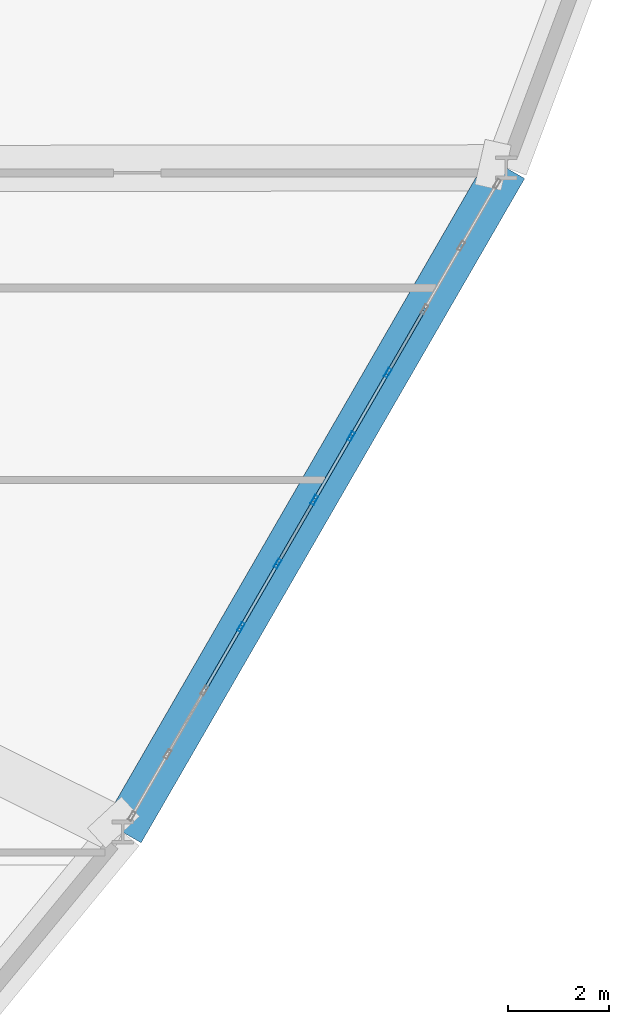
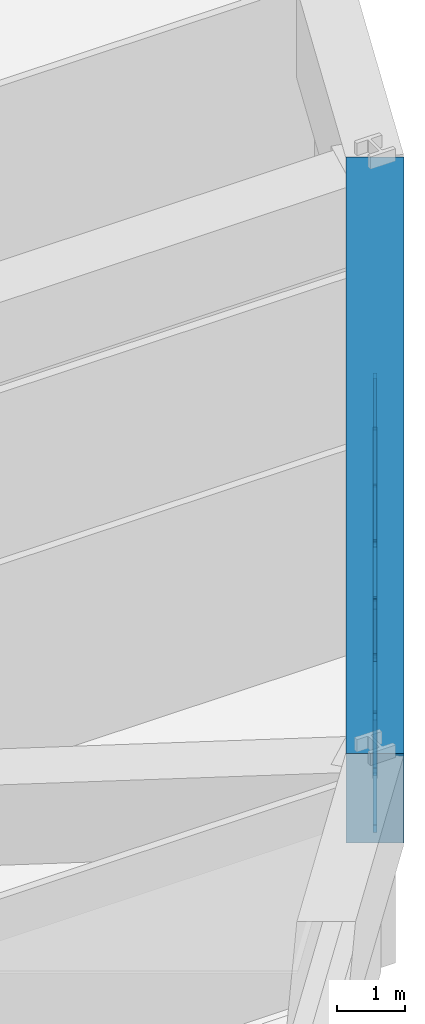
# One storey, part 7 of 18: 19 members, 1 beam, 1 element without a shape of its own.
"""IFC4 building model written with IfcOpenShell, lengths in metres."""

from ifc_helpers import new_model, si_unit, derived_unit, direction, frame, origin, origin_2d, place, context, subcontext, project, spatial, rectangle, hollow_rectangle, extrude, source, transform, mapped, material, layer, layer_set, material_profile, profile_set, type_object, element, aggregate, save


model = new_model("IFC4")

# Units and contexts
model_context = context("Model", 3, precision=1e-05, world=origin(), true_north=direction((0.0, 1.0)))
body_context = subcontext(model_context, "Body", "Model", "MODEL_VIEW")
ifc_project = project(units=[si_unit("LENGTHUNIT", "METRE"), si_unit("AREAUNIT", "SQUARE_METRE"), si_unit("VOLUMEUNIT", "CUBIC_METRE"), si_unit("PLANEANGLEUNIT", "RADIAN"), si_unit("MASSUNIT", "GRAM", prefix="KILO"), derived_unit("THERMALTRANSMITTANCEUNIT", [(si_unit("POWERUNIT", "WATT"), 1), (si_unit("LENGTHUNIT", "METRE"), -2), (si_unit("THERMODYNAMICTEMPERATUREUNIT", "KELVIN"), -1)])], contexts=[model_context])

# Site, building, storey
site_placement = place(None, origin())
site = spatial("IfcSite", under=ifc_project, at=site_placement, CompositionType="ELEMENT")
building_placement = place(site_placement, origin())
building = spatial("IfcBuilding", under=site, at=building_placement, Name="Korsvarv Bourse and Concert Hall", CompositionType="ELEMENT")
storey_placement = place(building_placement, frame((0.0, 0.0, 71.699951171875)))
storey = spatial("IfcBuildingStorey", under=building, at=storey_placement, Name="L17", CompositionType="ELEMENT", Elevation=71.699951171875)

# Beam
ifc_material_1 = material(Name="Concrete C55/67", Category="concrete")
ifc_material_profile_1 = material_profile(ifc_material_1, rectangle(XDim=0.85009765625, YDim=1.60009765625, at=origin_2d()), Name="RC-BM 850x1600")
ifc_profile_set_1 = profile_set([ifc_material_profile_1], Name="Concrete C55/67")
beam_type = type_object("IfcBeamType", Name="BM-TR1B", PredefinedType="BEAM", material=ifc_profile_set_1)
shared_shape_1 = source(origin(), body_context, "Body", "SweptSolid", [
    extrude(rectangle(XDim=0.85009765625, YDim=1.60009765625, at=origin_2d()), origin(), (0.0, 0.0, 1.0), 15.25341796875),
])
beam_placement = place(storey_placement, frame((54.033447265625, 19.206787109375, 2.880126953125), z_axis=(0.500003709148, 0.866023262296, 0.0), x_axis=(-0.866023262296, 0.500003709148, 0.0)))
element("IfcBeam", 1, at=beam_placement, inside=storey, type_object=beam_type, Name="L17 beam B-TR2", PredefinedType="BEAM", context=body_context, shape_type="MappedRepresentation", body=[
    mapped(shared_shape_1, transform((0.0, 0.0, 0.0), scale=1.0)),
])

# Curtain wall, members
ifc_material_2 = material(Name="Anodised aluminium and triple low-E glazing", Category="glass")
ifc_layer = layer(ifc_material_2, 0.219970703125)
ifc_layer_set = layer_set([ifc_layer], Name="Anodised aluminium and triple low-E glazing")
curtain_wall_type = type_object("IfcCurtainWallType", Name="CW-SYS-1", PredefinedType="NOTDEFINED", material=ifc_layer_set)
curtain_wall_placement = place(storey_placement, origin())
curtain_wall = element("IfcCurtainWall", 2, at=curtain_wall_placement, inside=storey, type_object=curtain_wall_type, Name="L17 CW1 curtain wall CW-L17-F11", PredefinedType="NOTDEFINED")
ifc_material_3 = material(Name="Extruded aluminium EN AW-6063 T66", Category="aluminium")
ifc_material_profile_2 = material_profile(ifc_material_3, hollow_rectangle(XDim=0.070068359375, YDim=0.18994140625, WallThickness=0.0048828125, at=origin_2d()), Name="ALU-M 70x190")
ifc_profile_set_2 = profile_set([ifc_material_profile_2], Name="Extruded aluminium EN AW-6063 T66")
member_type_1 = type_object("IfcMemberType", Name="CWM-190", PredefinedType="MULLION", material=ifc_profile_set_2)
shared_shape_2 = source(origin(), body_context, "Body", "SweptSolid", [
    extrude(hollow_rectangle(XDim=0.070068359375, YDim=0.18994140625, WallThickness=0.0048828125, at=origin_2d()), origin(), (0.0, 0.0, 1.0), 2.080078125),
])
member_1_placement = place(storey_placement, frame((56.3876953125, 23.284423828125, 0.0), z_axis=(0.0, 0.0, 1.0), x_axis=(-0.86602191759, 0.500006038217, 0.0)))
member_1 = element("IfcMember", 3, at=member_1_placement, type_object=member_type_1, Name="CW1 mullion 4", PredefinedType="MULLION", context=body_context, shape_type="MappedRepresentation", body=[
    mapped(shared_shape_2, transform((0.0, 0.0, 0.0), scale=1.0)),
])
member_2_placement = place(storey_placement, frame((57.1171875, 24.548095703125, 0.0), z_axis=(0.0, 0.0, 1.0), x_axis=(-0.86602191759, 0.500006038217, 0.0)))
member_2 = element("IfcMember", 4, at=member_2_placement, type_object=member_type_1, Name="CW1 mullion 5", PredefinedType="MULLION", context=body_context, shape_type="MappedRepresentation", body=[
    mapped(shared_shape_2, transform((0.0, 0.0, 0.0), scale=1.0)),
])
member_3_placement = place(storey_placement, frame((57.8466796875, 25.8115234375, 0.0), z_axis=(0.0, 0.0, 1.0), x_axis=(-0.86602191759, 0.500006038217, 0.0)))
member_3 = element("IfcMember", 5, at=member_3_placement, type_object=member_type_1, Name="CW1 mullion 6", PredefinedType="MULLION", context=body_context, shape_type="MappedRepresentation", body=[
    mapped(shared_shape_2, transform((0.0, 0.0, 0.0), scale=1.0)),
])
member_4_placement = place(storey_placement, frame((58.576416015625, 27.0751953125, 0.0), z_axis=(0.0, 0.0, 1.0), x_axis=(-0.86602191759, 0.500006038217, 0.0)))
member_4 = element("IfcMember", 6, at=member_4_placement, type_object=member_type_1, Name="CW1 mullion 7", PredefinedType="MULLION", context=body_context, shape_type="MappedRepresentation", body=[
    mapped(shared_shape_2, transform((0.0, 0.0, 0.0), scale=1.0)),
])
member_5_placement = place(storey_placement, frame((59.305908203125, 28.3388671875, 0.0), z_axis=(0.0, 0.0, 1.0), x_axis=(-0.86602191759, 0.500006038217, 0.0)))
member_5 = element("IfcMember", 7, at=member_5_placement, type_object=member_type_1, Name="CW1 mullion 8", PredefinedType="MULLION", context=body_context, shape_type="MappedRepresentation", body=[
    mapped(shared_shape_2, transform((0.0, 0.0, 0.0), scale=1.0)),
])
ifc_material_profile_3 = material_profile(ifc_material_3, hollow_rectangle(XDim=0.06494140625, YDim=0.139892578125, WallThickness=0.00390625, at=origin_2d()), Name="ALU-T 65x140")
ifc_profile_set_3 = profile_set([ifc_material_profile_3], Name="Extruded aluminium EN AW-6063 T66")
member_type_2 = type_object("IfcMemberType", Name="CWT-140", PredefinedType="USERDEFINED", material=ifc_profile_set_3)
shared_shape_3 = source(origin(), body_context, "Body", "SweptSolid", [
    extrude(hollow_rectangle(XDim=0.06494140625, YDim=0.139892578125, WallThickness=0.00390625, at=origin_2d()), origin(), (0.0, 0.0, 1.0), 1.38916015625),
])
member_6_placement = place(storey_placement, frame((56.4052734375, 23.314697265625, 0.032470703125), z_axis=(0.499975994823, 0.866039262737, 0.0), x_axis=(-0.866039262737, 0.499975994823, 0.0)))
member_6 = element("IfcMember", 8, at=member_6_placement, type_object=member_type_2, Name="CW1 transom 4.1", ObjectType="TRANSOM", PredefinedType="USERDEFINED", context=body_context, shape_type="MappedRepresentation", body=[
    mapped(shared_shape_3, transform((0.0, 0.0, 0.0), scale=1.0)),
])
member_7_placement = place(storey_placement, frame((56.4052734375, 23.314697265625, 2.047607421875), z_axis=(0.499975994823, 0.866039262737, 0.0), x_axis=(-0.866039262737, 0.499975994823, 0.0)))
member_7 = element("IfcMember", 9, at=member_7_placement, type_object=member_type_2, Name="CW1 transom 4.2", ObjectType="TRANSOM", PredefinedType="USERDEFINED", context=body_context, shape_type="MappedRepresentation", body=[
    mapped(shared_shape_3, transform((0.0, 0.0, 0.0), scale=1.0)),
])
member_8_placement = place(storey_placement, frame((57.8642578125, 25.841796875, 0.032470703125), z_axis=(0.499975994823, 0.866039262737, 0.0), x_axis=(-0.866039262737, 0.499975994823, 0.0)))
member_8 = element("IfcMember", 10, at=member_8_placement, type_object=member_type_2, Name="CW1 transom 6.1", ObjectType="TRANSOM", PredefinedType="USERDEFINED", context=body_context, shape_type="MappedRepresentation", body=[
    mapped(shared_shape_3, transform((0.0, 0.0, 0.0), scale=1.0)),
])
member_9_placement = place(storey_placement, frame((57.8642578125, 25.841796875, 2.047607421875), z_axis=(0.499975994823, 0.866039262737, 0.0), x_axis=(-0.866039262737, 0.499975994823, 0.0)))
member_9 = element("IfcMember", 11, at=member_9_placement, type_object=member_type_2, Name="CW1 transom 6.2", ObjectType="TRANSOM", PredefinedType="USERDEFINED", context=body_context, shape_type="MappedRepresentation", body=[
    mapped(shared_shape_3, transform((0.0, 0.0, 0.0), scale=1.0)),
])
shared_shape_4 = source(origin(), body_context, "Body", "SweptSolid", [
    extrude(hollow_rectangle(XDim=0.06494140625, YDim=0.139892578125, WallThickness=0.00390625, at=origin_2d()), origin(), (0.0, 0.0, 1.0), 1.388916015625),
])
member_10_placement = place(storey_placement, frame((55.67578125, 22.05126953125, 0.032470703125), z_axis=(0.499920266887, 0.866071432825, 0.0), x_axis=(-0.866071432825, 0.499920266887, 0.0)))
member_10 = element("IfcMember", 12, at=member_10_placement, type_object=member_type_2, Name="CW1 transom 3.1", ObjectType="TRANSOM", PredefinedType="USERDEFINED", context=body_context, shape_type="MappedRepresentation", body=[
    mapped(shared_shape_4, transform((0.0, 0.0, 0.0), scale=1.0)),
])
member_11_placement = place(storey_placement, frame((55.67578125, 22.05126953125, 2.047607421875), z_axis=(0.499920266887, 0.866071432825, 0.0), x_axis=(-0.866071432825, 0.499920266887, 0.0)))
member_11 = element("IfcMember", 13, at=member_11_placement, type_object=member_type_2, Name="CW1 transom 3.2", ObjectType="TRANSOM", PredefinedType="USERDEFINED", context=body_context, shape_type="MappedRepresentation", body=[
    mapped(shared_shape_4, transform((0.0, 0.0, 0.0), scale=1.0)),
])
member_12_placement = place(storey_placement, frame((57.134765625, 24.578369140625, 0.032470703125), z_axis=(0.500052099036, 0.865995322302, 0.0), x_axis=(-0.865995322302, 0.500052099036, 0.0)))
member_12 = element("IfcMember", 14, at=member_12_placement, type_object=member_type_2, Name="CW1 transom 5.1", ObjectType="TRANSOM", PredefinedType="USERDEFINED", context=body_context, shape_type="MappedRepresentation", body=[
    mapped(shared_shape_4, transform((0.0, 0.0, 0.0), scale=1.0)),
])
member_13_placement = place(storey_placement, frame((57.134765625, 24.578369140625, 2.047607421875), z_axis=(0.500052099036, 0.865995322302, 0.0), x_axis=(-0.865995322302, 0.500052099036, 0.0)))
member_13 = element("IfcMember", 15, at=member_13_placement, type_object=member_type_2, Name="CW1 transom 5.2", ObjectType="TRANSOM", PredefinedType="USERDEFINED", context=body_context, shape_type="MappedRepresentation", body=[
    mapped(shared_shape_4, transform((0.0, 0.0, 0.0), scale=1.0)),
])
member_14_placement = place(storey_placement, frame((58.59375, 27.10546875, 0.032470703125), z_axis=(0.500052099036, 0.865995322302, 0.0), x_axis=(-0.865995322302, 0.500052099036, 0.0)))
member_14 = element("IfcMember", 16, at=member_14_placement, type_object=member_type_2, Name="CW1 transom 7.1", ObjectType="TRANSOM", PredefinedType="USERDEFINED", context=body_context, shape_type="MappedRepresentation", body=[
    mapped(shared_shape_4, transform((0.0, 0.0, 0.0), scale=1.0)),
])
member_15_placement = place(storey_placement, frame((58.59375, 27.10546875, 2.047607421875), z_axis=(0.500052099036, 0.865995322302, 0.0), x_axis=(-0.865995322302, 0.500052099036, 0.0)))
member_15 = element("IfcMember", 17, at=member_15_placement, type_object=member_type_2, Name="CW1 transom 7.2", ObjectType="TRANSOM", PredefinedType="USERDEFINED", context=body_context, shape_type="MappedRepresentation", body=[
    mapped(shared_shape_4, transform((0.0, 0.0, 0.0), scale=1.0)),
])
member_16_placement = place(storey_placement, frame((59.323486328125, 28.369140625, 0.032470703125), z_axis=(0.499920266887, 0.866071432825, 0.0), x_axis=(-0.866071432825, 0.499920266887, 0.0)))
member_16 = element("IfcMember", 18, at=member_16_placement, type_object=member_type_2, Name="CW1 transom 8.1", ObjectType="TRANSOM", PredefinedType="USERDEFINED", context=body_context, shape_type="MappedRepresentation", body=[
    mapped(shared_shape_4, transform((0.0, 0.0, 0.0), scale=1.0)),
])
member_17_placement = place(storey_placement, frame((59.323486328125, 28.369140625, 2.047607421875), z_axis=(0.499920266887, 0.866071432825, 0.0), x_axis=(-0.866071432825, 0.499920266887, 0.0)))
member_17 = element("IfcMember", 19, at=member_17_placement, type_object=member_type_2, Name="CW1 transom 8.2", ObjectType="TRANSOM", PredefinedType="USERDEFINED", context=body_context, shape_type="MappedRepresentation", body=[
    mapped(shared_shape_4, transform((0.0, 0.0, 0.0), scale=1.0)),
])
ifc_material_profile_4 = material_profile(ifc_material_3, hollow_rectangle(XDim=0.06494140625, YDim=0.1650390625, WallThickness=0.0048828125, at=origin_2d()), Name="ALU-M 65x165")
ifc_profile_set_4 = profile_set([ifc_material_profile_4], Name="Extruded aluminium EN AW-6063 T66")
member_type_3 = type_object("IfcMemberType", Name="CWM-165", PredefinedType="MULLION", material=ifc_profile_set_4)
shared_shape_5 = source(origin(), body_context, "Body", "SweptSolid", [
    extrude(hollow_rectangle(XDim=0.06494140625, YDim=0.1650390625, WallThickness=0.0048828125, at=origin_2d()), origin(), (0.0, 0.0, 1.0), 2.394287109375),
])
member_18_placement = place(storey_placement, frame((57.829345703125, 25.78125, 0.06494140625), z_axis=(-0.290098533415, -0.502395597235, 0.814519186262), x_axis=(0.865995322302, -0.500052099036, 0.0)))
member_18 = element("IfcMember", 20, at=member_18_placement, type_object=member_type_3, Name="CW1 diagonal mullion 5", PredefinedType="MULLION", context=body_context, shape_type="MappedRepresentation", body=[
    mapped(shared_shape_5, transform((0.0, 0.0, 0.0), scale=1.0)),
])
member_19_placement = place(storey_placement, frame((59.323486328125, 28.369140625, 0.06494140625), z_axis=(0.290005142746, 0.502410456508, 0.814543277164), x_axis=(-0.866071432825, 0.499920266887, 0.0)))
member_19 = element("IfcMember", 21, at=member_19_placement, type_object=member_type_3, Name="CW1 diagonal mullion 8", PredefinedType="MULLION", context=body_context, shape_type="MappedRepresentation", body=[
    mapped(shared_shape_5, transform((0.0, 0.0, 0.0), scale=1.0)),
])
aggregate(curtain_wall, [member_1, member_2, member_3, member_4, member_5, member_10, member_11, member_6, member_7, member_12, member_13, member_18, member_8, member_9, member_14, member_15, member_16, member_17, member_19])

save(model, "model.ifc")
